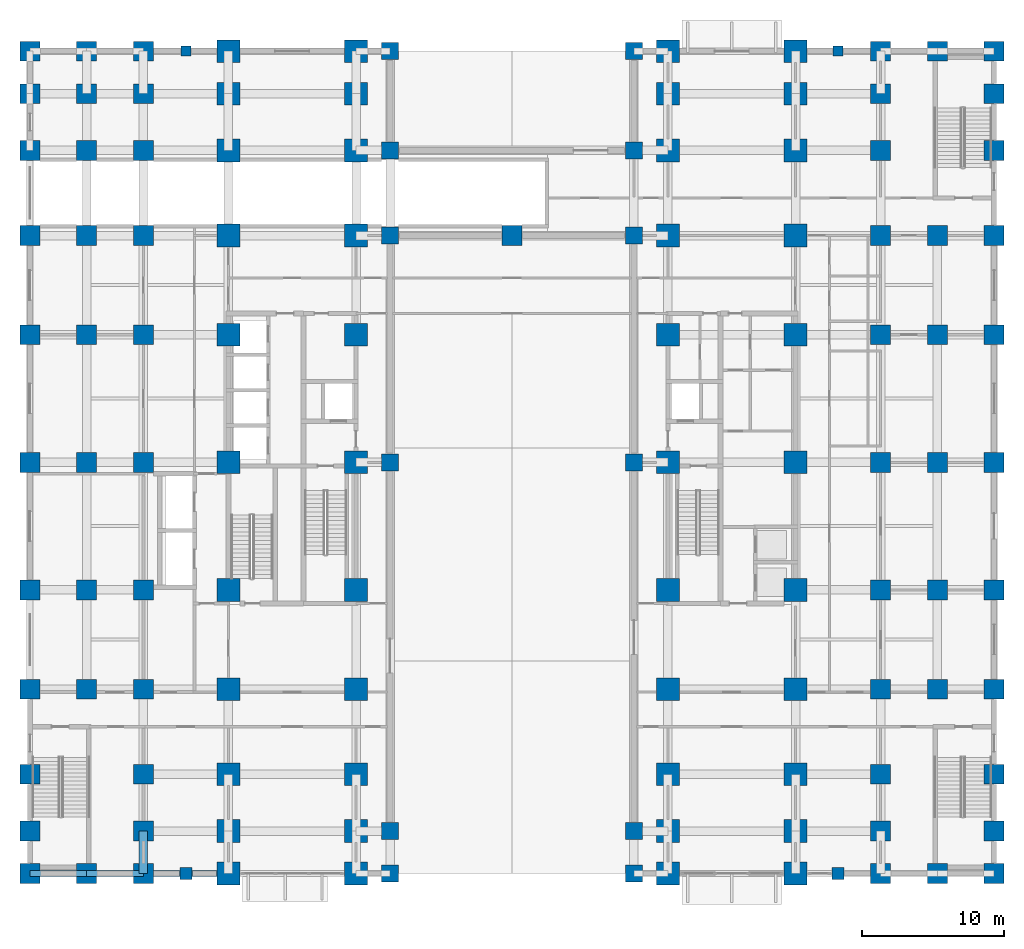
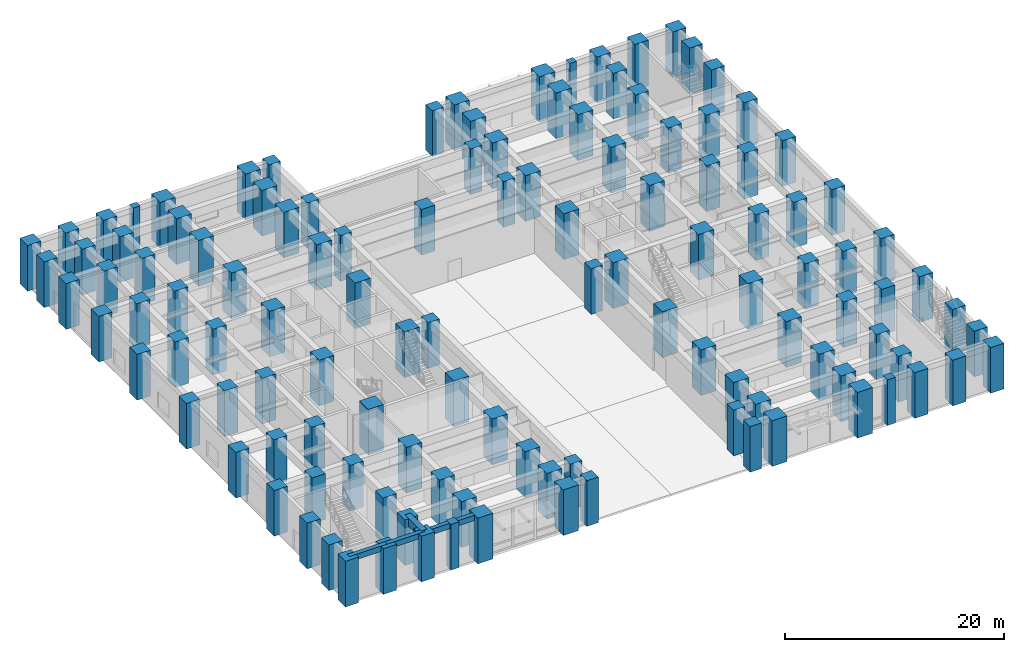
# One storey, part 1 of 20: 121 columns, 4 beams.
"""IFC4 building model written with IfcOpenShell, lengths in metres."""

from ifc_helpers import new_model, si_unit, direction, frame, origin, origin_2d, place, context, subcontext, project, spatial, rectangle, extrude, material, material_profile, profile_set, type_object, element, save


model = new_model("IFC4")

# Units and contexts
model_context = context("Model", 3, precision=1e-05, world=origin(), true_north=direction((0.0, 1.0)))
body_context = subcontext(model_context, "Body", "Model", "MODEL_VIEW")
ifc_project = project(units=[si_unit("LENGTHUNIT", "METRE"), si_unit("AREAUNIT", "SQUARE_METRE"), si_unit("VOLUMEUNIT", "CUBIC_METRE"), si_unit("PLANEANGLEUNIT", "RADIAN"), si_unit("MASSUNIT", "GRAM", prefix="KILO")], contexts=[model_context])

# Site, building, storey
site_placement = place(None, origin())
site = spatial("IfcSite", under=ifc_project, at=site_placement, CompositionType="ELEMENT")
building_placement = place(site_placement, origin())
building = spatial("IfcBuilding", under=site, at=building_placement, Name="Zulmaris Gate Convention Tower", CompositionType="ELEMENT")
storey_placement = place(building_placement, origin())
storey = spatial("IfcBuildingStorey", under=building, at=storey_placement, Name="L00", CompositionType="ELEMENT", Elevation=0.0)

# Columns
ifc_material_1 = material(Name="Concrete C70/85", Category="concrete")
ifc_material_profile_1 = material_profile(ifc_material_1, rectangle(XDim=1.199951171875, YDim=1.199951171875, at=origin_2d()), Name="RC COL 1200x1200")
ifc_profile_set_1 = profile_set([ifc_material_profile_1], Name="Concrete C70/85")
column_type_1 = type_object("IfcColumnType", Name="COL-RC1200", PredefinedType="COLUMN", material=ifc_profile_set_1)
for number, where, z_axis, x_axis, name in (
    (1, (-8.60009765625, -29.0, 0.0), (0.0, 0.0, 1.0), (1.0, 0.0, 0.0), "L00 Column AR--8.6_-29.0"),
    (2, (8.60009765625, -29.0, 0.0), (0.0, 0.0, 1.0), (1.0, 0.0, 0.0), "L00 Column AR-+8.6_-29.0"),
    (3, (-8.60009765625, -26.0, 0.0), (0.0, 0.0, 1.0), (1.0, 0.0, 0.0), "L00 Column AR--8.6_-26.0"),
    (4, (8.60009765625, -26.0, 0.0), (0.0, 0.0, 1.0), (1.0, 0.0, 0.0), "L00 Column AR-+8.6_-26.0"),
    (5, (-8.60009765625, 0.0, 0.0), (0.0, 0.0, 1.0), (1.0, 0.0, 0.0), "L00 Column AR--8.6_+0.0"),
    (6, (8.60009765625, 0.0, 0.0), (0.0, 0.0, 1.0), (1.0, 0.0, 0.0), "L00 Column AR-+8.6_+0.0"),
    (7, (-8.60009765625, 16.0, 0.0), (0.0, 0.0, 1.0), (1.0, 0.0, 0.0), "L00 Column AR--8.6_+16.0"),
    (8, (8.60009765625, 16.0, 0.0), (0.0, 0.0, 1.0), (1.0, 0.0, 0.0), "L00 Column AR-+8.6_+16.0"),
    (9, (-8.60009765625, 22.0, 0.0), (0.0, 0.0, 1.0), (1.0, 0.0, 0.0), "L00 Column AR--8.6_+22.0"),
    (10, (8.60009765625, 22.0, 0.0), (0.0, 0.0, 1.0), (1.0, 0.0, 0.0), "L00 Column AR-+8.6_+22.0"),
    (11, (-8.60009765625, 29.0, 0.0), (0.0, 0.0, 1.0), (1.0, 0.0, 0.0), "L00 Column AR--8.6_+29.0"),
    (12, (8.60009765625, 29.0, 0.0), (0.0, 0.0, 1.0), (1.0, 0.0, 0.0), "L00 Column AR-+8.6_+29.0"),
):
    element("IfcColumn", number, at=place(storey_placement, frame(where, z_axis=z_axis, x_axis=x_axis)), inside=storey, type_object=column_type_1, Name=name, PredefinedType="COLUMN", context=body_context, shape_type="SweptSolid", body=[
        extrude(rectangle(XDim=1.199951171875, YDim=1.199951171875, at=origin_2d()), origin(), (0.0, 0.0, 1.0), 5.08984375),
    ])
ifc_material_2 = material(Name="Concrete C80/95", Category="concrete")
ifc_material_profile_2 = material_profile(ifc_material_2, rectangle(XDim=1.39990234375, YDim=1.39990234375, at=origin_2d()), Name="RC COL 1400x1400")
ifc_profile_set_2 = profile_set([ifc_material_profile_2], Name="Concrete C80/95")
column_type_2 = type_object("IfcColumnType", Name="COL-RC1400", PredefinedType="COLUMN", material=ifc_profile_set_2)
for number, where, z_axis, x_axis, name in (
    (13, (-34.0, -29.0, 0.0), (0.0, 0.0, 1.0), (1.0, 0.0, 0.0), "L00 Column G--34.0_-29.0"),
    (14, (-34.0, -26.0, 0.0), (0.0, 0.0, 1.0), (1.0, 0.0, 0.0), "L00 Column G--34.0_-26.0"),
    (15, (-34.0, -22.0, 0.0), (0.0, 0.0, 1.0), (1.0, 0.0, 0.0), "L00 Column G--34.0_-22.0"),
    (16, (-34.0, -16.0, 0.0), (0.0, 0.0, 1.0), (1.0, 0.0, 0.0), "L00 Column G--34.0_-16.0"),
    (17, (-34.0, -9.0, 0.0), (0.0, 0.0, 1.0), (1.0, 0.0, 0.0), "L00 Column G--34.0_-9.0"),
    (18, (-34.0, 0.0, 0.0), (0.0, 0.0, 1.0), (1.0, 0.0, 0.0), "L00 Column G--34.0_+0.0"),
    (19, (-34.0, 9.0, 0.0), (0.0, 0.0, 1.0), (1.0, 0.0, 0.0), "L00 Column G--34.0_+9.0"),
    (20, (-34.0, 16.0, 0.0), (0.0, 0.0, 1.0), (1.0, 0.0, 0.0), "L00 Column G--34.0_+16.0"),
    (21, (-34.0, 22.0, 0.0), (0.0, 0.0, 1.0), (1.0, 0.0, 0.0), "L00 Column G--34.0_+22.0"),
    (22, (-34.0, 26.0, 0.0), (0.0, 0.0, 1.0), (1.0, 0.0, 0.0), "L00 Column G--34.0_+26.0"),
    (23, (-34.0, 29.0, 0.0), (0.0, 0.0, 1.0), (1.0, 0.0, 0.0), "L00 Column G--34.0_+29.0"),
    (24, (-30.0, -29.0, 0.0), (0.0, 0.0, 1.0), (1.0, 0.0, 0.0), "L00 Column G--30.0_-29.0"),
    (25, (-30.0, -16.0, 0.0), (0.0, 0.0, 1.0), (1.0, 0.0, 0.0), "L00 Column G--30.0_-16.0"),
    (26, (-30.0, -9.0, 0.0), (0.0, 0.0, 1.0), (1.0, 0.0, 0.0), "L00 Column G--30.0_-9.0"),
    (27, (-30.0, 0.0, 0.0), (0.0, 0.0, 1.0), (1.0, 0.0, 0.0), "L00 Column G--30.0_+0.0"),
    (28, (-30.0, 9.0, 0.0), (0.0, 0.0, 1.0), (1.0, 0.0, 0.0), "L00 Column G--30.0_+9.0"),
    (29, (-30.0, 16.0, 0.0), (0.0, 0.0, 1.0), (1.0, 0.0, 0.0), "L00 Column G--30.0_+16.0"),
    (30, (-30.0, 22.0, 0.0), (0.0, 0.0, 1.0), (1.0, 0.0, 0.0), "L00 Column G--30.0_+22.0"),
    (31, (-30.0, 26.0, 0.0), (0.0, 0.0, 1.0), (1.0, 0.0, 0.0), "L00 Column G--30.0_+26.0"),
    (32, (-30.0, 29.0, 0.0), (0.0, 0.0, 1.0), (1.0, 0.0, 0.0), "L00 Column G--30.0_+29.0"),
    (33, (-26.0, -29.0, 0.0), (0.0, 0.0, 1.0), (1.0, 0.0, 0.0), "L00 Column G--26.0_-29.0"),
    (34, (-26.0, -26.0, 0.0), (0.0, 0.0, 1.0), (1.0, 0.0, 0.0), "L00 Column G--26.0_-26.0"),
    (35, (-26.0, -22.0, 0.0), (0.0, 0.0, 1.0), (1.0, 0.0, 0.0), "L00 Column G--26.0_-22.0"),
    (36, (-26.0, -16.0, 0.0), (0.0, 0.0, 1.0), (1.0, 0.0, 0.0), "L00 Column G--26.0_-16.0"),
    (37, (-26.0, -9.0, 0.0), (0.0, 0.0, 1.0), (1.0, 0.0, 0.0), "L00 Column G--26.0_-9.0"),
    (38, (-26.0, 0.0, 0.0), (0.0, 0.0, 1.0), (1.0, 0.0, 0.0), "L00 Column G--26.0_+0.0"),
    (39, (-26.0, 9.0, 0.0), (0.0, 0.0, 1.0), (1.0, 0.0, 0.0), "L00 Column G--26.0_+9.0"),
    (40, (-26.0, 16.0, 0.0), (0.0, 0.0, 1.0), (1.0, 0.0, 0.0), "L00 Column G--26.0_+16.0"),
    (41, (-26.0, 22.0, 0.0), (0.0, 0.0, 1.0), (1.0, 0.0, 0.0), "L00 Column G--26.0_+22.0"),
    (42, (-26.0, 26.0, 0.0), (0.0, 0.0, 1.0), (1.0, 0.0, 0.0), "L00 Column G--26.0_+26.0"),
    (43, (-26.0, 29.0, 0.0), (0.0, 0.0, 1.0), (1.0, 0.0, 0.0), "L00 Column G--26.0_+29.0"),
    (44, (0.0, 16.0, 0.0), (0.0, 0.0, 1.0), (1.0, 0.0, 0.0), "L00 Column G-+0.0_+16.0"),
    (45, (26.0, -29.0, 0.0), (0.0, 0.0, 1.0), (1.0, 0.0, 0.0), "L00 Column G-+26.0_-29.0"),
    (46, (26.0, -26.0, 0.0), (0.0, 0.0, 1.0), (1.0, 0.0, 0.0), "L00 Column G-+26.0_-26.0"),
    (47, (26.0, -22.0, 0.0), (0.0, 0.0, 1.0), (1.0, 0.0, 0.0), "L00 Column G-+26.0_-22.0"),
    (48, (26.0, -16.0, 0.0), (0.0, 0.0, 1.0), (1.0, 0.0, 0.0), "L00 Column G-+26.0_-16.0"),
    (49, (26.0, -9.0, 0.0), (0.0, 0.0, 1.0), (1.0, 0.0, 0.0), "L00 Column G-+26.0_-9.0"),
    (50, (26.0, 0.0, 0.0), (0.0, 0.0, 1.0), (1.0, 0.0, 0.0), "L00 Column G-+26.0_+0.0"),
    (51, (26.0, 9.0, 0.0), (0.0, 0.0, 1.0), (1.0, 0.0, 0.0), "L00 Column G-+26.0_+9.0"),
    (52, (26.0, 16.0, 0.0), (0.0, 0.0, 1.0), (1.0, 0.0, 0.0), "L00 Column G-+26.0_+16.0"),
    (53, (26.0, 22.0, 0.0), (0.0, 0.0, 1.0), (1.0, 0.0, 0.0), "L00 Column G-+26.0_+22.0"),
    (54, (26.0, 26.0, 0.0), (0.0, 0.0, 1.0), (1.0, 0.0, 0.0), "L00 Column G-+26.0_+26.0"),
    (55, (26.0, 29.0, 0.0), (0.0, 0.0, 1.0), (1.0, 0.0, 0.0), "L00 Column G-+26.0_+29.0"),
    (56, (30.0, -29.0, 0.0), (0.0, 0.0, 1.0), (1.0, 0.0, 0.0), "L00 Column G-+30.0_-29.0"),
    (57, (30.0, -16.0, 0.0), (0.0, 0.0, 1.0), (1.0, 0.0, 0.0), "L00 Column G-+30.0_-16.0"),
    (58, (30.0, -9.0, 0.0), (0.0, 0.0, 1.0), (1.0, 0.0, 0.0), "L00 Column G-+30.0_-9.0"),
    (59, (30.0, 0.0, 0.0), (0.0, 0.0, 1.0), (1.0, 0.0, 0.0), "L00 Column G-+30.0_+0.0"),
    (60, (30.0, 9.0, 0.0), (0.0, 0.0, 1.0), (1.0, 0.0, 0.0), "L00 Column G-+30.0_+9.0"),
    (61, (30.0, 16.0, 0.0), (0.0, 0.0, 1.0), (1.0, 0.0, 0.0), "L00 Column G-+30.0_+16.0"),
    (62, (30.0, 29.0, 0.0), (0.0, 0.0, 1.0), (1.0, 0.0, 0.0), "L00 Column G-+30.0_+29.0"),
    (63, (34.0, -29.0, 0.0), (0.0, 0.0, 1.0), (1.0, 0.0, 0.0), "L00 Column G-+34.0_-29.0"),
    (64, (34.0, -26.0, 0.0), (0.0, 0.0, 1.0), (1.0, 0.0, 0.0), "L00 Column G-+34.0_-26.0"),
    (65, (34.0, -22.0, 0.0), (0.0, 0.0, 1.0), (1.0, 0.0, 0.0), "L00 Column G-+34.0_-22.0"),
    (66, (34.0, -16.0, 0.0), (0.0, 0.0, 1.0), (1.0, 0.0, 0.0), "L00 Column G-+34.0_-16.0"),
    (67, (34.0, -9.0, 0.0), (0.0, 0.0, 1.0), (1.0, 0.0, 0.0), "L00 Column G-+34.0_-9.0"),
    (68, (34.0, 0.0, 0.0), (0.0, 0.0, 1.0), (1.0, 0.0, 0.0), "L00 Column G-+34.0_+0.0"),
    (69, (34.0, 9.0, 0.0), (0.0, 0.0, 1.0), (1.0, 0.0, 0.0), "L00 Column G-+34.0_+9.0"),
    (70, (34.0, 16.0, 0.0), (0.0, 0.0, 1.0), (1.0, 0.0, 0.0), "L00 Column G-+34.0_+16.0"),
    (71, (34.0, 22.0, 0.0), (0.0, 0.0, 1.0), (1.0, 0.0, 0.0), "L00 Column G-+34.0_+22.0"),
    (72, (34.0, 26.0, 0.0), (0.0, 0.0, 1.0), (1.0, 0.0, 0.0), "L00 Column G-+34.0_+26.0"),
    (73, (34.0, 29.0, 0.0), (0.0, 0.0, 1.0), (1.0, 0.0, 0.0), "L00 Column G-+34.0_+29.0"),
):
    element("IfcColumn", number, at=place(storey_placement, frame(where, z_axis=z_axis, x_axis=x_axis)), inside=storey, type_object=column_type_2, Name=name, PredefinedType="COLUMN", context=body_context, shape_type="SweptSolid", body=[
        extrude(rectangle(XDim=1.39990234375, YDim=1.39990234375, at=origin_2d()), origin(), (0.0, 0.0, 1.0), 5.08984375),
    ])
ifc_material_profile_3 = material_profile(ifc_material_2, rectangle(XDim=1.60009765625, YDim=1.60009765625, at=origin_2d()), Name="RC COL 1600x1600")
ifc_profile_set_3 = profile_set([ifc_material_profile_3], Name="Concrete C80/95")
column_type_3 = type_object("IfcColumnType", Name="COL-RC1600", PredefinedType="COLUMN", material=ifc_profile_set_3)
for number, where, z_axis, x_axis, name in (
    (74, (-20.0, -29.0, 0.0), (0.0, 0.0, 1.0), (1.0, 0.0, 0.0), "L00 Column G--20.0_-29.0"),
    (75, (-20.0, -26.0, 0.0), (0.0, 0.0, 1.0), (1.0, 0.0, 0.0), "L00 Column G--20.0_-26.0"),
    (76, (-20.0, -22.0, 0.0), (0.0, 0.0, 1.0), (1.0, 0.0, 0.0), "L00 Column G--20.0_-22.0"),
    (77, (-20.0, -16.0, 0.0), (0.0, 0.0, 1.0), (1.0, 0.0, 0.0), "L00 Column G--20.0_-16.0"),
    (78, (-20.0, -9.0, 0.0), (0.0, 0.0, 1.0), (1.0, 0.0, 0.0), "L00 Column G--20.0_-9.0"),
    (79, (-20.0, 0.0, 0.0), (0.0, 0.0, 1.0), (1.0, 0.0, 0.0), "L00 Column G--20.0_+0.0"),
    (80, (-20.0, 9.0, 0.0), (0.0, 0.0, 1.0), (1.0, 0.0, 0.0), "L00 Column G--20.0_+9.0"),
    (81, (-20.0, 16.0, 0.0), (0.0, 0.0, 1.0), (1.0, 0.0, 0.0), "L00 Column G--20.0_+16.0"),
    (82, (-20.0, 22.0, 0.0), (0.0, 0.0, 1.0), (1.0, 0.0, 0.0), "L00 Column G--20.0_+22.0"),
    (83, (-20.0, 26.0, 0.0), (0.0, 0.0, 1.0), (1.0, 0.0, 0.0), "L00 Column G--20.0_+26.0"),
    (84, (-20.0, 29.0, 0.0), (0.0, 0.0, 1.0), (1.0, 0.0, 0.0), "L00 Column G--20.0_+29.0"),
    (85, (-11.0, -29.0, 0.0), (0.0, 0.0, 1.0), (1.0, 0.0, 0.0), "L00 Column G--11.0_-29.0"),
    (86, (-11.0, -26.0, 0.0), (0.0, 0.0, 1.0), (1.0, 0.0, 0.0), "L00 Column G--11.0_-26.0"),
    (87, (-11.0, -22.0, 0.0), (0.0, 0.0, 1.0), (1.0, 0.0, 0.0), "L00 Column G--11.0_-22.0"),
    (88, (-11.0, -16.0, 0.0), (0.0, 0.0, 1.0), (1.0, 0.0, 0.0), "L00 Column G--11.0_-16.0"),
    (89, (-11.0, -9.0, 0.0), (0.0, 0.0, 1.0), (1.0, 0.0, 0.0), "L00 Column G--11.0_-9.0"),
    (90, (-11.0, 0.0, 0.0), (0.0, 0.0, 1.0), (1.0, 0.0, 0.0), "L00 Column G--11.0_+0.0"),
    (91, (-11.0, 9.0, 0.0), (0.0, 0.0, 1.0), (1.0, 0.0, 0.0), "L00 Column G--11.0_+9.0"),
    (92, (-11.0, 16.0, 0.0), (0.0, 0.0, 1.0), (1.0, 0.0, 0.0), "L00 Column G--11.0_+16.0"),
    (93, (-11.0, 22.0, 0.0), (0.0, 0.0, 1.0), (1.0, 0.0, 0.0), "L00 Column G--11.0_+22.0"),
    (94, (-11.0, 26.0, 0.0), (0.0, 0.0, 1.0), (1.0, 0.0, 0.0), "L00 Column G--11.0_+26.0"),
    (95, (-11.0, 29.0, 0.0), (0.0, 0.0, 1.0), (1.0, 0.0, 0.0), "L00 Column G--11.0_+29.0"),
    (96, (11.0, -29.0, 0.0), (0.0, 0.0, 1.0), (1.0, 0.0, 0.0), "L00 Column G-+11.0_-29.0"),
    (97, (11.0, -26.0, 0.0), (0.0, 0.0, 1.0), (1.0, 0.0, 0.0), "L00 Column G-+11.0_-26.0"),
    (98, (11.0, -22.0, 0.0), (0.0, 0.0, 1.0), (1.0, 0.0, 0.0), "L00 Column G-+11.0_-22.0"),
    (99, (11.0, -16.0, 0.0), (0.0, 0.0, 1.0), (1.0, 0.0, 0.0), "L00 Column G-+11.0_-16.0"),
    (100, (11.0, -9.0, 0.0), (0.0, 0.0, 1.0), (1.0, 0.0, 0.0), "L00 Column G-+11.0_-9.0"),
    (101, (11.0, 0.0, 0.0), (0.0, 0.0, 1.0), (1.0, 0.0, 0.0), "L00 Column G-+11.0_+0.0"),
    (102, (11.0, 9.0, 0.0), (0.0, 0.0, 1.0), (1.0, 0.0, 0.0), "L00 Column G-+11.0_+9.0"),
    (103, (11.0, 16.0, 0.0), (0.0, 0.0, 1.0), (1.0, 0.0, 0.0), "L00 Column G-+11.0_+16.0"),
    (104, (11.0, 22.0, 0.0), (0.0, 0.0, 1.0), (1.0, 0.0, 0.0), "L00 Column G-+11.0_+22.0"),
    (105, (11.0, 26.0, 0.0), (0.0, 0.0, 1.0), (1.0, 0.0, 0.0), "L00 Column G-+11.0_+26.0"),
    (106, (11.0, 29.0, 0.0), (0.0, 0.0, 1.0), (1.0, 0.0, 0.0), "L00 Column G-+11.0_+29.0"),
    (107, (20.0, -29.0, 0.0), (0.0, 0.0, 1.0), (1.0, 0.0, 0.0), "L00 Column G-+20.0_-29.0"),
    (108, (20.0, -26.0, 0.0), (0.0, 0.0, 1.0), (1.0, 0.0, 0.0), "L00 Column G-+20.0_-26.0"),
    (109, (20.0, -22.0, 0.0), (0.0, 0.0, 1.0), (1.0, 0.0, 0.0), "L00 Column G-+20.0_-22.0"),
    (110, (20.0, -16.0, 0.0), (0.0, 0.0, 1.0), (1.0, 0.0, 0.0), "L00 Column G-+20.0_-16.0"),
    (111, (20.0, -9.0, 0.0), (0.0, 0.0, 1.0), (1.0, 0.0, 0.0), "L00 Column G-+20.0_-9.0"),
    (112, (20.0, 0.0, 0.0), (0.0, 0.0, 1.0), (1.0, 0.0, 0.0), "L00 Column G-+20.0_+0.0"),
    (113, (20.0, 9.0, 0.0), (0.0, 0.0, 1.0), (1.0, 0.0, 0.0), "L00 Column G-+20.0_+9.0"),
    (114, (20.0, 16.0, 0.0), (0.0, 0.0, 1.0), (1.0, 0.0, 0.0), "L00 Column G-+20.0_+16.0"),
    (115, (20.0, 22.0, 0.0), (0.0, 0.0, 1.0), (1.0, 0.0, 0.0), "L00 Column G-+20.0_+22.0"),
    (116, (20.0, 26.0, 0.0), (0.0, 0.0, 1.0), (1.0, 0.0, 0.0), "L00 Column G-+20.0_+26.0"),
    (117, (20.0, 29.0, 0.0), (0.0, 0.0, 1.0), (1.0, 0.0, 0.0), "L00 Column G-+20.0_+29.0"),
):
    element("IfcColumn", number, at=place(storey_placement, frame(where, z_axis=z_axis, x_axis=x_axis)), inside=storey, type_object=column_type_3, Name=name, PredefinedType="COLUMN", context=body_context, shape_type="SweptSolid", body=[
        extrude(rectangle(XDim=1.60009765625, YDim=1.60009765625, at=origin_2d()), origin(), (0.0, 0.0, 1.0), 5.08984375),
    ])
ifc_material_3 = material(Name="Precast concrete C50/60", Category="concrete")
ifc_material_profile_4 = material_profile(ifc_material_3, rectangle(XDim=0.699951171875, YDim=0.699951171875, at=origin_2d()), Name="RC COL 700x700")
ifc_profile_set_4 = profile_set([ifc_material_profile_4], Name="Precast concrete C50/60")
column_type_4 = type_object("IfcColumnType", Name="PIL-RC700", PredefinedType="PILASTER", material=ifc_profile_set_4)
for number, where, z_axis, x_axis, name in (
    (118, (-23.0, 29.0, 0.0), (0.0, 0.0, 1.0), (1.0, 0.0, 0.0), "L00 Pilaster PIL--23.0_+29.0"),
    (119, (23.0, 29.0, 0.0), (0.0, 0.0, 1.0), (1.0, 0.0, 0.0), "L00 Pilaster PIL-+23.0_+29.0"),
):
    element("IfcColumn", number, at=place(storey_placement, frame(where, z_axis=z_axis, x_axis=x_axis)), inside=storey, type_object=column_type_4, Name=name, PredefinedType="PILASTER", context=body_context, shape_type="SweptSolid", body=[
        extrude(rectangle(XDim=0.699951171875, YDim=0.699951171875, at=origin_2d()), origin(), (0.0, 0.0, 1.0), 5.08984375),
    ])
ifc_material_profile_5 = material_profile(ifc_material_3, rectangle(XDim=0.85009765625, YDim=0.85009765625, at=origin_2d()), Name="RC COL 850x850")
ifc_profile_set_5 = profile_set([ifc_material_profile_5], Name="Precast concrete C50/60")
column_type_5 = type_object("IfcColumnType", Name="PIL-RC850", PredefinedType="PILASTER", material=ifc_profile_set_5)
for number, where, z_axis, x_axis, name in (
    (120, (-23.0, -29.0, 0.0), (0.0, 0.0, 1.0), (1.0, 0.0, 0.0), "L00 Pilaster PIL--23.0_-29.0"),
    (121, (23.0, -29.0, 0.0), (0.0, 0.0, 1.0), (1.0, 0.0, 0.0), "L00 Pilaster PIL-+23.0_-29.0"),
):
    element("IfcColumn", number, at=place(storey_placement, frame(where, z_axis=z_axis, x_axis=x_axis)), inside=storey, type_object=column_type_5, Name=name, PredefinedType="PILASTER", context=body_context, shape_type="SweptSolid", body=[
        extrude(rectangle(XDim=0.85009765625, YDim=0.85009765625, at=origin_2d()), origin(), (0.0, 0.0, 1.0), 5.08984375),
    ])

# Beams
ifc_material_4 = material(Name="Concrete C60/75", Category="concrete")
ifc_material_profile_6 = material_profile(ifc_material_4, rectangle(XDim=0.60009765625, YDim=0.949951171875, at=origin_2d()), Name="RC BEAM 600x950")
ifc_profile_set_6 = profile_set([ifc_material_profile_6], Name="Concrete C60/75")
beam_type_1 = type_object("IfcBeamType", Name="BM-RC600x950", PredefinedType="BEAM", material=ifc_profile_set_6)
beam_1_placement = place(storey_placement, frame((-26.0, -29.0, 4.614990234375), z_axis=(0.0, 1.0, 0.0), x_axis=(-1.0, 0.0, 0.0)))
element("IfcBeam", 122, at=beam_1_placement, inside=storey, type_object=beam_type_1, Name="L00 Beam BM-L00-Y--26.0--29.0", PredefinedType="BEAM", context=body_context, shape_type="SweptSolid", body=[
    extrude(rectangle(XDim=0.60009765625, YDim=0.949951171875, at=origin_2d()), origin(), (0.0, 0.0, 1.0), 3.0),
])
ifc_material_profile_7 = material_profile(ifc_material_3, rectangle(XDim=0.449951171875, YDim=0.60009765625, at=origin_2d()), Name="RC SPANDREL 450x600")
ifc_profile_set_7 = profile_set([ifc_material_profile_7], Name="Precast concrete C50/60")
beam_type_2 = type_object("IfcBeamType", Name="BM-SP450x600", PredefinedType="SPANDREL", material=ifc_profile_set_7)
for number, where, z_axis, x_axis, name in (
    (123, (-34.0, -29.0, 4.789794921875), (1.0, 0.0, 0.0), (0.0, 1.0, 0.0), "L00 Spandrel BM-L00-X--29.0--34.0"),
    (124, (-30.0, -29.0, 4.789794921875), (1.0, 0.0, 0.0), (0.0, 1.0, 0.0), "L00 Spandrel BM-L00-X--29.0--30.0"),
):
    element("IfcBeam", number, at=place(storey_placement, frame(where, z_axis=z_axis, x_axis=x_axis)), inside=storey, type_object=beam_type_2, Name=name, PredefinedType="SPANDREL", context=body_context, shape_type="SweptSolid", body=[
        extrude(rectangle(XDim=0.449951171875, YDim=0.60009765625, at=origin_2d()), origin(), (0.0, 0.0, 1.0), 4.0),
    ])
beam_2_placement = place(storey_placement, frame((-26.0, -29.0, 4.789794921875), z_axis=(1.0, 0.0, 0.0), x_axis=(0.0, 1.0, 0.0)))
element("IfcBeam", 125, at=beam_2_placement, inside=storey, type_object=beam_type_2, Name="L00 Spandrel BM-L00-X--29.0--26.0", PredefinedType="SPANDREL", context=body_context, shape_type="SweptSolid", body=[
    extrude(rectangle(XDim=0.449951171875, YDim=0.60009765625, at=origin_2d()), origin(), (0.0, 0.0, 1.0), 6.0),
])

save(model, "model.ifc")
